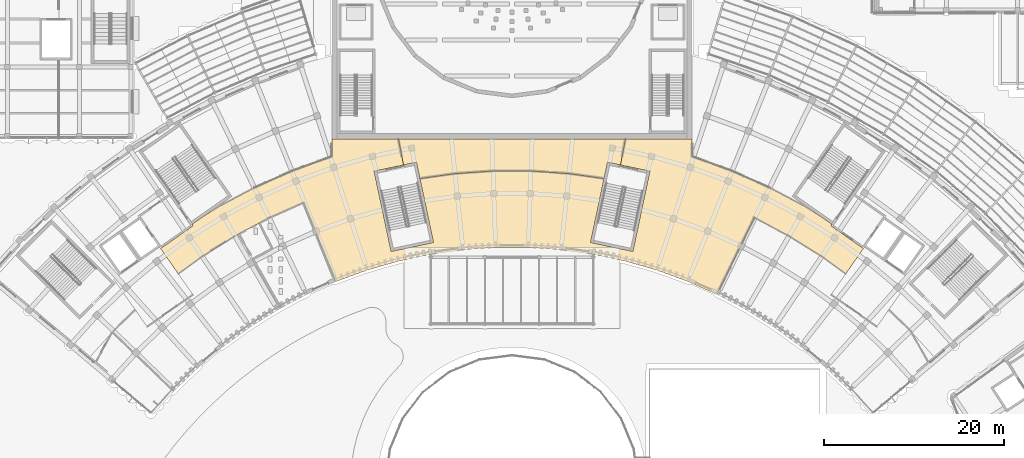
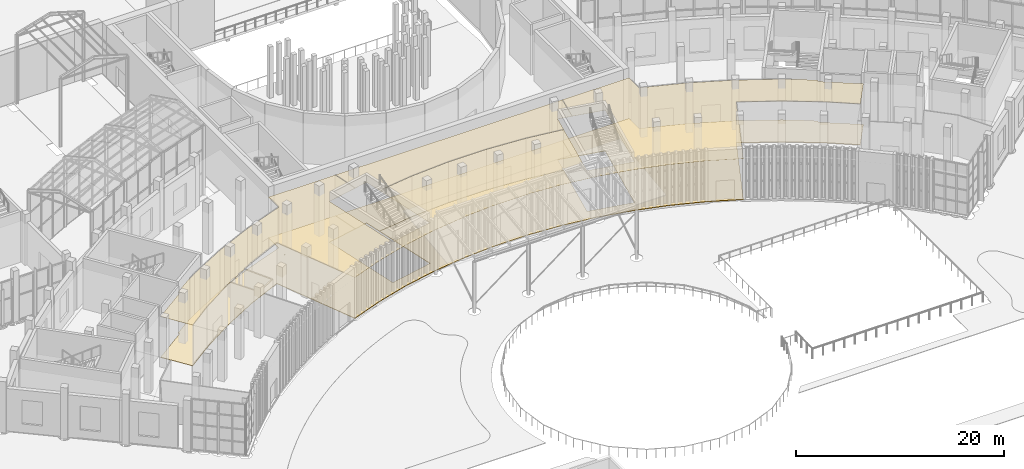
# One storey, part 124 of 155: 4 coverings.
"""IFC4 building model written with IfcOpenShell, lengths in metres."""

import ifcopenshell
import ifcopenshell.guid

model = None  # the IFC model being written
_history = None  # IfcOwnerHistory: only IFC2X3 demands one
_inside = {}  # id of a spatial element -> (the spatial element, [elements in it])
_under = {}  # id of a project, library or spatial element -> (it, [spatial elements below it])
_declared = {}  # id of a project -> (the project, [libraries it declares])
_typed = {}  # id of a type object -> (the type object, [elements of that type])
_made_of = {}  # id of a material, layer set ... -> (it, [elements and type objects made of it])


def new_model(schema):
    """Start an empty IFC model of exactly this schema.

    Asked for "IFC4X3", IfcOpenShell would pick the latest addendum, in which some entities
    have other attributes; the version numbers below select the first issue.
    IFC2X3 requires an IfcOwnerHistory on every rooted entity: one is made here for all.
    """
    global model, _history
    if schema == "IFC4X3":
        model = ifcopenshell.file(schema_version=(4, 3, 0, 0))
    else:
        model = ifcopenshell.file(schema=schema)
    _inside.clear()
    _under.clear()
    _declared.clear()
    _typed.clear()
    _made_of.clear()
    _history = None
    if model.schema == "IFC2X3":
        org = make("IfcOrganization", Name="unknown")
        user = make(
            "IfcPersonAndOrganization",
            ThePerson=make("IfcPerson", FamilyName="unknown"),
            TheOrganization=org,
        )
        app = make(
            "IfcApplication",
            ApplicationDeveloper=org,
            Version="unknown",
            ApplicationFullName="unknown",
            ApplicationIdentifier="unknown",
        )
        _history = make(
            "IfcOwnerHistory",
            OwningUser=user,
            OwningApplication=app,
            ChangeAction="ADDED",
            CreationDate=0,
        )
    return model


def make(cls, **values):
    """One entity of the class cls with the attributes given. An attribute that is None is left unset."""
    return model.create_entity(
        cls, **{name: value for name, value in values.items() if value is not None}
    )


def rooted(cls, **values):
    """An entity with a GlobalId (a new one), such as an element, a storey or a relation."""
    return make(cls, GlobalId=ifcopenshell.guid.new(), OwnerHistory=_history, **values)


def si_unit(unit_type, name, prefix=None):
    """IfcSIUnit, for example si_unit("LENGTHUNIT", "METRE", prefix="MILLI")."""
    return make("IfcSIUnit", UnitType=unit_type, Prefix=prefix, Name=name)


def assignment(units):
    """IfcUnitAssignment: the units of a project."""
    return None if units is None else make("IfcUnitAssignment", Units=units)


def point(xyz):
    """IfcCartesianPoint."""
    return None if xyz is None else make("IfcCartesianPoint", Coordinates=xyz)


def direction(xyz):
    """IfcDirection."""
    return None if xyz is None else make("IfcDirection", DirectionRatios=xyz)


def frame(location, z_axis=None, x_axis=None):
    """IfcAxis2Placement3D, a coordinate frame: its origin and axes. An axis left out is left unset."""
    return make(
        "IfcAxis2Placement3D",
        Location=point(location),
        Axis=direction(z_axis),
        RefDirection=direction(x_axis),
    )


def origin():
    """The frame at (0, 0, 0) with its axes left unset."""
    return frame((0.0, 0.0, 0.0))


def place(relative_to, where):
    """IfcLocalPlacement: puts the frame where relative to a parent placement (None: the world)."""
    return make(
        "IfcLocalPlacement", PlacementRelTo=relative_to, RelativePlacement=where
    )


def context(
    kind, dimensions, precision=None, world=None, true_north=None, identifier=None
):
    """IfcGeometricRepresentationContext, for example the 3D "Model" context."""
    return make(
        "IfcGeometricRepresentationContext",
        ContextIdentifier=identifier,
        ContextType=kind,
        CoordinateSpaceDimension=dimensions,
        Precision=precision,
        WorldCoordinateSystem=world,
        TrueNorth=true_north,
    )


def subcontext(parent, identifier, kind, view, scale=None):
    """IfcGeometricRepresentationSubContext, for example "Body" below "Model"."""
    return make(
        "IfcGeometricRepresentationSubContext",
        ContextIdentifier=identifier,
        ContextType=kind,
        ParentContext=parent,
        TargetScale=scale,
        TargetView=view,
    )


def project(units=None, contexts=None):
    """IfcProject with its units and contexts."""
    return rooted(
        "IfcProject",
        Name="project",
        RepresentationContexts=contexts,
        UnitsInContext=assignment(units),
    )


def spatial(cls, under=None, at=None, **own):
    """A site, building, storey or space (cls), placed at a placement, below another one or the project."""
    s = rooted(cls, ObjectPlacement=at, **own)
    if under is not None:
        _under.setdefault(under.id(), (under, []))[1].append(s)
    return s


def polyline(points):
    """IfcPolyline through the points."""
    return make("IfcPolyline", Points=[point(p) for p in points])


def outline(outer, holes=None, kind="AREA"):
    """IfcArbitraryClosedProfileDef: a profile drawn as a closed curve; with holes, ...WithVoids."""
    if holes is None:
        return make("IfcArbitraryClosedProfileDef", ProfileType=kind, OuterCurve=outer)
    return make(
        "IfcArbitraryProfileDefWithVoids",
        ProfileType=kind,
        OuterCurve=outer,
        InnerCurves=holes,
    )


def extrude(swept, where, along, depth):
    """IfcExtrudedAreaSolid: the profile swept, set in the frame where, extruded along a direction by depth."""
    return make(
        "IfcExtrudedAreaSolid",
        SweptArea=swept,
        Position=where,
        ExtrudedDirection=direction(along),
        Depth=depth,
    )


def shape(context_of_items, identifier, shape_type, items):
    """IfcShapeRepresentation: the items that make up one representation, for example the "Body"."""
    return make(
        "IfcShapeRepresentation",
        ContextOfItems=context_of_items,
        RepresentationIdentifier=identifier,
        RepresentationType=shape_type,
        Items=items,
    )


def material(Name=None, Category=None):
    """IfcMaterial."""
    return make("IfcMaterial", Name=Name, Category=Category)


def layer(
    of_material, thickness, ventilated=None, Name=None, Category=None, Priority=None
):
    """IfcMaterialLayer: one layer of a wall or slab, of a material (None: an air gap)."""
    return make(
        "IfcMaterialLayer",
        Material=of_material,
        LayerThickness=thickness,
        IsVentilated=ventilated,
        Name=Name,
        Category=Category,
        Priority=Priority,
    )


def layer_set(layers, Name=None):
    """IfcMaterialLayerSet."""
    return make("IfcMaterialLayerSet", MaterialLayers=layers, LayerSetName=Name)


def made_of(thing, what):
    """Note that an element or type object is made of a material, layer set ...; save() writes the relation."""
    if what is not None:
        _made_of.setdefault(what.id(), (what, []))[1].append(thing)
    return thing


def type_object(cls, material=None, **own):
    """A type object (cls), such as IfcWallType, which elements share."""
    return made_of(rooted(cls, **own), material)


def element(
    cls,
    number,
    at=None,
    inside=None,
    cuts=None,
    type_object=None,
    material=None,
    context=None,
    identifier="Body",
    shape_type=None,
    held_by="IfcProductDefinitionShape",
    body=None,
    shapes=None,
    **own,
):
    """One element of the class cls, such as IfcWall. Its Tag is "e" and its number.

    at: its placement. inside: the storey or other place that contains it. cuts: it is an
    opening in that element (IfcRelVoidsElement). A single representation is given by context,
    identifier, shape_type and body (its items); several are given by shapes. held_by: the class
    of the entity that holds the representations. save() writes the other relations.
    """
    e = rooted(cls, Tag="e%d" % number, ObjectPlacement=at, **own)
    if body is not None:
        shapes = [shape(context, identifier, shape_type, body)]
    if shapes is not None:
        e.Representation = make(held_by, Representations=shapes)
    if inside is not None:
        _inside.setdefault(inside.id(), (inside, []))[1].append(e)
    if cuts is not None:
        rooted(
            "IfcRelVoidsElement", RelatingBuildingElement=cuts, RelatedOpeningElement=e
        )
    if type_object is not None:
        _typed.setdefault(type_object.id(), (type_object, []))[1].append(e)
    return made_of(e, material)


def aggregate(whole, parts):
    """IfcRelAggregates: a whole, such as a stair, and the parts it consists of."""
    return rooted("IfcRelAggregates", RelatingObject=whole, RelatedObjects=parts)


def save(model, path):
    """Write the relations noted so far, then the file.

    IfcRelAggregates (storeys below a building ...), IfcRelContainedInSpatialStructure (elements
    in a storey), IfcRelDefinesByType, IfcRelAssociatesMaterial and IfcRelDeclares: one each for
    every whole, place, type object, material and project.
    """
    for whole, parts in _under.values():
        aggregate(whole, parts)
    for where, things in _inside.values():
        rooted(
            "IfcRelContainedInSpatialStructure",
            RelatedElements=things,
            RelatingStructure=where,
        )
    for kind, things in _typed.values():
        rooted("IfcRelDefinesByType", RelatedObjects=things, RelatingType=kind)
    for what, things in _made_of.values():
        rooted("IfcRelAssociatesMaterial", RelatedObjects=things, RelatingMaterial=what)
    for by, libraries in _declared.values():
        rooted("IfcRelDeclares", RelatingContext=by, RelatedDefinitions=libraries)
    model.write(path)


model = new_model("IFC4")

# Units and contexts
model_context = context("Model", 3, precision=1e-05, world=origin(), true_north=direction((0.0, 1.0)))
body_context = subcontext(model_context, "Body", "Model", "MODEL_VIEW")
ifc_project = project(units=[si_unit("LENGTHUNIT", "METRE"), si_unit("AREAUNIT", "SQUARE_METRE"), si_unit("VOLUMEUNIT", "CUBIC_METRE"), si_unit("PLANEANGLEUNIT", "RADIAN"), si_unit("MASSUNIT", "GRAM", prefix="KILO")], contexts=[model_context])

# Site, building, storey
site_placement = place(None, origin())
site = spatial("IfcSite", under=ifc_project, at=site_placement, CompositionType="ELEMENT")
building_placement = place(site_placement, origin())
building = spatial("IfcBuilding", under=site, at=building_placement, Name="Lunette Opera House", CompositionType="ELEMENT")
storey_placement = place(building_placement, origin())
storey = spatial("IfcBuildingStorey", under=building, at=storey_placement, Name="L00", CompositionType="ELEMENT", Elevation=0.0)

# Coverings
ifc_material_1 = material(Name="Mineral fibre board")
ifc_layer_1 = layer(ifc_material_1, 0.014892578125)
ifc_layer_set_1 = layer_set([ifc_layer_1], Name="Mineral fibre board")
covering_type_1 = type_object("IfcCoveringType", Name="SUSPENDED ACOUSTIC CEILING 15", PredefinedType="CEILING", material=ifc_layer_set_1)
covering_1_placement = place(storey_placement, frame((0.0, 0.0, 4.81494140625)))
element("IfcCovering", 1, at=covering_1_placement, inside=storey, type_object=covering_type_1, Name="Ceiling Stalls Entrance Hall", PredefinedType="CEILING", context=body_context, shape_type="SweptSolid", body=[
    extrude(outline(polyline([(108.032958984375, 61.134033203125), (106.60498046875, 61.43798828125), (106.218994140625, 59.62109375), (102.323974609375, 60.1689453125), (98.111083984375, 60.462890625), (93.888916015625, 60.462890625), (89.676025390625, 60.1689453125), (85.781005859375, 59.62109375), (85.39501953125, 61.43798828125), (83.967041015625, 61.134033203125), (83.403076171875, 64.0), (108.596923828125, 64.0), (108.032958984375, 61.134033203125)])), origin(), (0.0, 0.0, 1.0), 0.01513671875),
])
covering_2_placement = place(storey_placement, frame((0.0, 0.0, 4.81494140625)))
element("IfcCovering", 2, at=covering_2_placement, inside=storey, type_object=covering_type_1, Name="Ceiling Main Foyer", PredefinedType="CEILING", context=body_context, shape_type="SweptSolid", body=[
    extrude(outline(polyline([(63.39990234375, 56.465087890625), (67.41796875, 58.60107421875), (71.575927734375, 60.451904296875), (75.85205078125, 62.009033203125), (76.0, 62.051025390625), (76.0, 64.0), (83.403076171875, 64.0), (83.967041015625, 61.134033203125), (80.699951171875, 60.43994140625), (82.592041015625, 51.5380859375), (87.287109375, 52.535888671875), (85.781005859375, 59.62109375), (89.676025390625, 60.1689453125), (93.888916015625, 60.462890625), (98.111083984375, 60.462890625), (102.323974609375, 60.1689453125), (106.218994140625, 59.62109375), (104.712890625, 52.535888671875), (109.407958984375, 51.5380859375), (111.300048828125, 60.43994140625), (108.032958984375, 61.134033203125), (108.596923828125, 64.0), (116.0, 64.0), (116.0, 62.051025390625), (116.14794921875, 62.009033203125), (120.424072265625, 60.451904296875), (124.58203125, 58.60107421875), (128.60009765625, 56.465087890625), (130.19189453125, 55.469970703125), (131.509033203125, 54.548095703125), (131.39404296875, 54.384033203125), (134.998046875, 51.860107421875), (133.0390625, 49.06103515625), (130.389892578125, 50.986083984375), (126.75, 53.260986328125), (122.9599609375, 55.27587890625), (122.89501953125, 55.304931640625), (118.739990234375, 46.761962890625), (115.47998046875, 48.214111328125), (112.069091796875, 49.455078125), (108.580078125, 50.455078125), (105.030029296875, 51.2099609375), (101.43505859375, 51.715087890625), (97.81494140625, 51.968017578125), (94.18505859375, 51.968017578125), (90.56494140625, 51.715087890625), (86.969970703125, 51.2099609375), (83.419921875, 50.455078125), (79.930908203125, 49.455078125), (76.52001953125, 48.214111328125), (76.43310546875, 48.175048828125), (72.85888671875, 56.97607421875), (69.0400390625, 55.27587890625), (65.676025390625, 53.487060546875), (65.25, 53.260986328125), (61.610107421875, 50.986083984375), (58.9609375, 49.06103515625), (57.001953125, 51.860107421875), (60.60595703125, 54.384033203125), (60.490966796875, 54.548095703125), (61.80810546875, 55.469970703125), (63.39990234375, 56.465087890625)]), holes=[polyline([(119.97509765625, 59.340087890625), (116.0, 60.787109375), (116.0, 60.785888671875), (119.97509765625, 59.340087890625)]), polyline([(72.02490234375, 59.340087890625), (76.0, 60.785888671875), (76.0, 60.787109375), (72.02490234375, 59.340087890625)])]), origin(), (0.0, 0.0, 1.0), 0.01513671875),
])
ifc_material_2 = material(Name="Terrazzo")
ifc_layer_2 = layer(ifc_material_2, 0.06005859375)
ifc_layer_set_2 = layer_set([ifc_layer_2], Name="Terrazzo")
covering_type_2 = type_object("IfcCoveringType", Name="TERRAZZO FLOOR FINISH 60", PredefinedType="FLOORING", material=ifc_layer_set_2)
covering_3_placement = place(storey_placement, origin())
element("IfcCovering", 3, at=covering_3_placement, inside=storey, type_object=covering_type_2, Name="Floor finish Stalls Entrance Hall", PredefinedType="FLOORING", context=body_context, shape_type="SweptSolid", body=[
    extrude(outline(polyline([(108.032958984375, 61.134033203125), (106.60498046875, 61.43798828125), (106.218994140625, 59.62109375), (102.323974609375, 60.1689453125), (98.111083984375, 60.462890625), (93.888916015625, 60.462890625), (89.676025390625, 60.1689453125), (85.781005859375, 59.62109375), (85.39501953125, 61.43798828125), (83.967041015625, 61.134033203125), (83.403076171875, 64.0), (108.596923828125, 64.0), (108.032958984375, 61.134033203125)])), origin(), (0.0, 0.0, 1.0), 0.06005859375),
])
covering_4_placement = place(storey_placement, origin())
element("IfcCovering", 4, at=covering_4_placement, inside=storey, type_object=covering_type_2, Name="Floor finish Main Foyer", PredefinedType="FLOORING", context=body_context, shape_type="SweptSolid", body=[
    extrude(outline(polyline([(63.39990234375, 56.465087890625), (67.41796875, 58.60107421875), (71.575927734375, 60.451904296875), (75.85205078125, 62.009033203125), (76.0, 62.051025390625), (76.0, 64.0), (83.403076171875, 64.0), (83.967041015625, 61.134033203125), (80.699951171875, 60.43994140625), (82.592041015625, 51.5380859375), (87.287109375, 52.535888671875), (85.781005859375, 59.62109375), (89.676025390625, 60.1689453125), (93.888916015625, 60.462890625), (98.111083984375, 60.462890625), (102.323974609375, 60.1689453125), (106.218994140625, 59.62109375), (104.712890625, 52.535888671875), (109.407958984375, 51.5380859375), (111.300048828125, 60.43994140625), (108.032958984375, 61.134033203125), (108.596923828125, 64.0), (116.0, 64.0), (116.0, 62.051025390625), (116.14794921875, 62.009033203125), (120.424072265625, 60.451904296875), (124.58203125, 58.60107421875), (128.60009765625, 56.465087890625), (130.19189453125, 55.469970703125), (131.509033203125, 54.548095703125), (131.39404296875, 54.384033203125), (134.998046875, 51.860107421875), (133.0390625, 49.06103515625), (130.389892578125, 50.986083984375), (126.75, 53.260986328125), (122.9599609375, 55.27587890625), (122.89501953125, 55.304931640625), (118.739990234375, 46.761962890625), (115.47998046875, 48.214111328125), (112.069091796875, 49.455078125), (108.580078125, 50.455078125), (105.030029296875, 51.2099609375), (101.43505859375, 51.715087890625), (97.81494140625, 51.968017578125), (94.18505859375, 51.968017578125), (90.56494140625, 51.715087890625), (86.969970703125, 51.2099609375), (83.419921875, 50.455078125), (79.930908203125, 49.455078125), (76.52001953125, 48.214111328125), (76.43310546875, 48.175048828125), (72.85888671875, 56.97607421875), (69.0400390625, 55.27587890625), (65.676025390625, 53.487060546875), (65.25, 53.260986328125), (61.610107421875, 50.986083984375), (58.9609375, 49.06103515625), (57.001953125, 51.860107421875), (60.60595703125, 54.384033203125), (60.490966796875, 54.548095703125), (61.80810546875, 55.469970703125), (63.39990234375, 56.465087890625)]), holes=[polyline([(119.97509765625, 59.340087890625), (116.0, 60.787109375), (116.0, 60.785888671875), (119.97509765625, 59.340087890625)]), polyline([(72.02490234375, 59.340087890625), (76.0, 60.785888671875), (76.0, 60.787109375), (72.02490234375, 59.340087890625)])]), origin(), (0.0, 0.0, 1.0), 0.06005859375),
])

save(model, "model.ifc")
